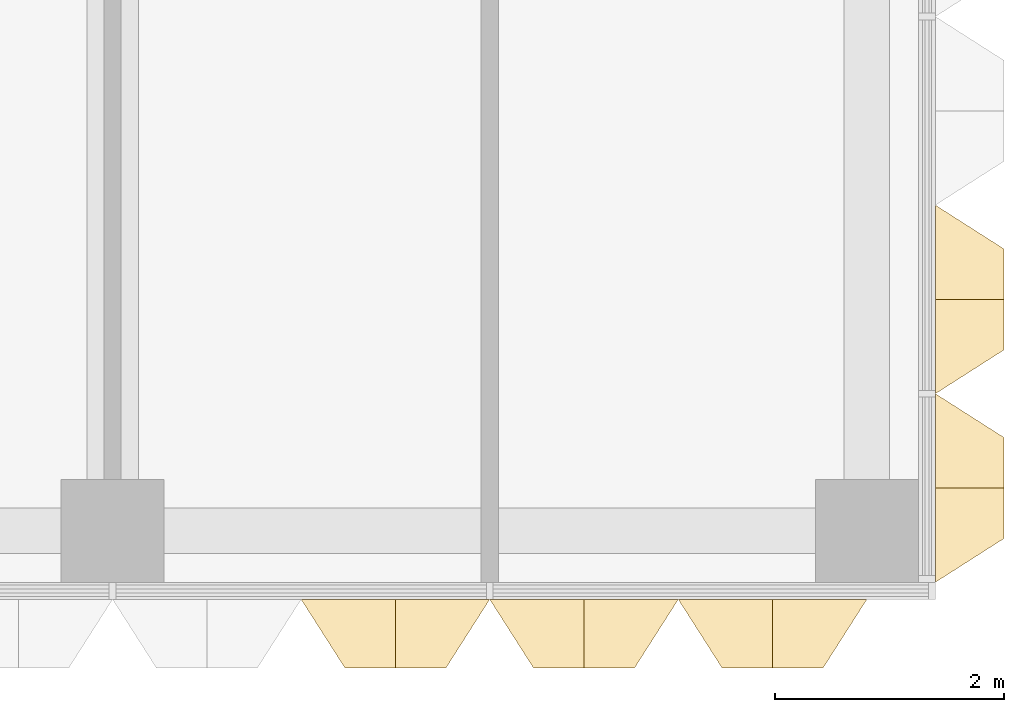
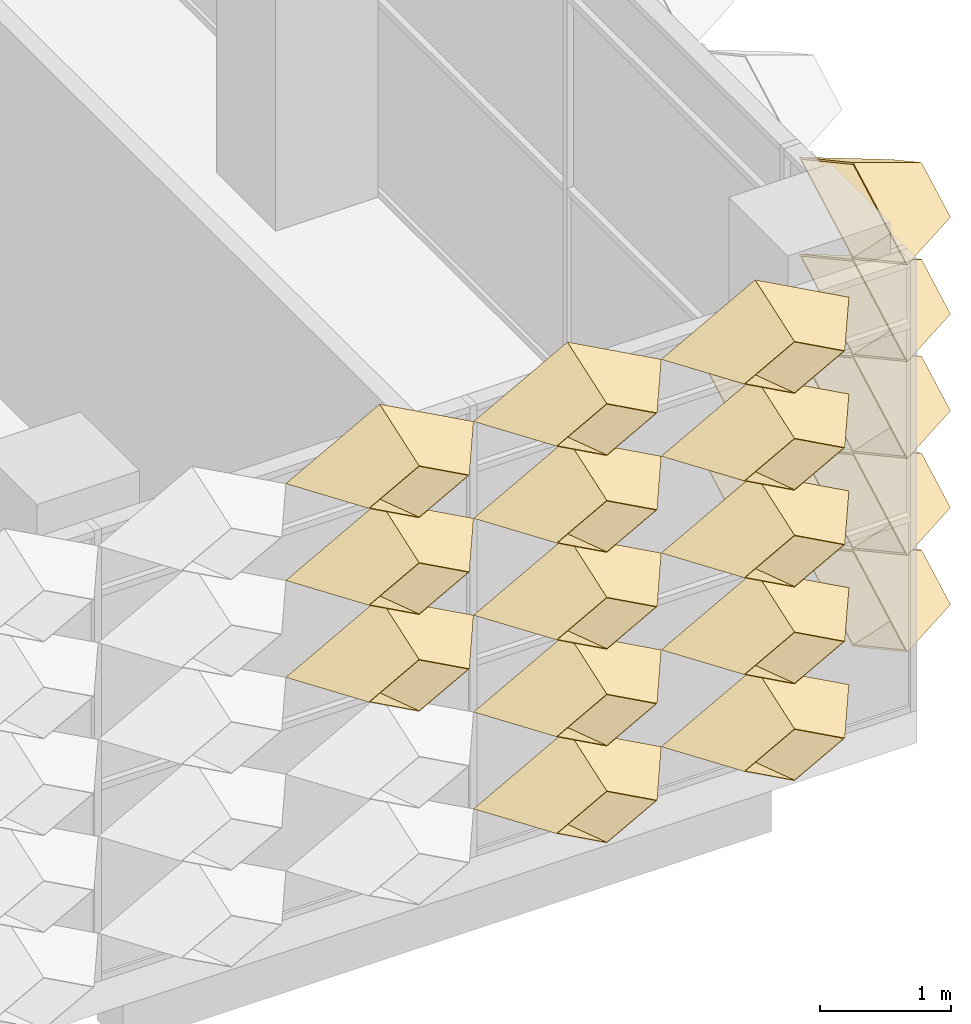
# One storey, part 60 of 87: 20 coverings.
"""IFC4 building model written with IfcOpenShell, lengths in metres."""

from ifc_helpers import new_model, entity, si_unit, direction, frame, origin, place, context, subcontext, project, spatial, material, layer, layer_set, type_object, element, save


model = new_model("IFC4")

# Units and contexts
model_context = context("Model", 3, precision=1e-05, world=origin(), true_north=direction((0.0, 1.0)))
body_context = subcontext(model_context, "Body", "Model", "MODEL_VIEW")
ifc_project = project(units=[si_unit("LENGTHUNIT", "METRE"), si_unit("AREAUNIT", "SQUARE_METRE"), si_unit("VOLUMEUNIT", "CUBIC_METRE"), si_unit("PLANEANGLEUNIT", "RADIAN"), si_unit("MASSUNIT", "GRAM", prefix="KILO")], contexts=[model_context])

# Site, building, storey
site_placement = place(None, origin())
site = spatial("IfcSite", under=ifc_project, at=site_placement, CompositionType="ELEMENT")
building_placement = place(site_placement, origin())
building = spatial("IfcBuilding", under=site, at=building_placement, Name="Lantern Court Research Institute", CompositionType="ELEMENT")
storey_placement = place(building_placement, frame((0.0, 0.0, 5.39990234375)))
storey = spatial("IfcBuildingStorey", under=building, at=storey_placement, Name="L01", CompositionType="ELEMENT", Elevation=5.39990234375)

# Coverings
ifc_material = material(Name="Anodised aluminium", Category="aluminium")
ifc_layer = layer(ifc_material, 0.01611328125)
ifc_layer_set = layer_set([ifc_layer], Name="Anodised aluminium")
covering_type = type_object("IfcCoveringType", Name="Fin cassette 1650 x 900 x 600 aluminium", PredefinedType="CLADDING", material=ifc_layer_set)
covering_1_placement = place(storey_placement, frame((79.800048828125, -7.425048828125, 0.4501953125), z_axis=(1.0, 0.0, 0.0), x_axis=(0.0, 1.0, 0.0)))
cartesian_point_1 = entity("IfcCartesianPoint", [0.824951171875, 0.0])
cartesian_point_2 = entity("IfcCartesianPoint", [0.79150390625, 0.0])
cartesian_point_3 = entity("IfcCartesianPoint", [0.44189453125, 0.0])
cartesian_point_4 = entity("IfcCartesianPoint", [0.43359375, 0.0])
element("IfcCovering", 1, at=covering_1_placement, inside=storey, type_object=covering_type, Name="Fin cassette V5E-L01 1.-4", PredefinedType="CLADDING", context=body_context, shape_type="SweptSolid", body=[
    entity("IfcExtrudedAreaSolidTapered", entity("IfcArbitraryProfileDefWithVoids", "AREA", None, entity("IfcPolyline", [cartesian_point_1, entity("IfcCartesianPoint", [0.0, 0.449951171875]), entity("IfcCartesianPoint", [-0.824951171875, 0.0]), entity("IfcCartesianPoint", [0.0, -0.449951171875]), cartesian_point_1]), [entity("IfcPolyline", [cartesian_point_2, entity("IfcCartesianPoint", [0.0, 0.431884765625]), entity("IfcCartesianPoint", [-0.79150390625, 0.0]), entity("IfcCartesianPoint", [0.0, -0.431884765625]), cartesian_point_2])]), entity("IfcAxis2Placement3D", entity("IfcCartesianPoint", [0.0, 0.0, 0.0])), entity("IfcDirection", [0.0, 0.0, 1.0]), 0.60009765625, entity("IfcArbitraryProfileDefWithVoids", "AREA", None, entity("IfcPolyline", [cartesian_point_3, entity("IfcCartesianPoint", [0.0, 0.240966796875]), entity("IfcCartesianPoint", [-0.44189453125, 0.0]), entity("IfcCartesianPoint", [0.0, -0.240966796875]), cartesian_point_3]), [entity("IfcPolyline", [cartesian_point_4, entity("IfcCartesianPoint", [0.0, 0.236572265625]), entity("IfcCartesianPoint", [-0.43359375, 0.0]), entity("IfcCartesianPoint", [0.0, -0.236572265625]), cartesian_point_4])])),
])
covering_2_placement = place(storey_placement, frame((79.800048828125, -5.77490234375, 0.4501953125), z_axis=(1.0, 0.0, 0.0), x_axis=(0.0, 1.0, 0.0)))
cartesian_point_5 = entity("IfcCartesianPoint", [0.824951171875, 0.0])
cartesian_point_6 = entity("IfcCartesianPoint", [0.79150390625, 0.0])
cartesian_point_7 = entity("IfcCartesianPoint", [0.44189453125, 0.0])
cartesian_point_8 = entity("IfcCartesianPoint", [0.43359375, 0.0])
element("IfcCovering", 2, at=covering_2_placement, inside=storey, type_object=covering_type, Name="Fin cassette V5E-L01 1.-3", PredefinedType="CLADDING", context=body_context, shape_type="SweptSolid", body=[
    entity("IfcExtrudedAreaSolidTapered", entity("IfcArbitraryProfileDefWithVoids", "AREA", None, entity("IfcPolyline", [cartesian_point_5, entity("IfcCartesianPoint", [0.0, 0.449951171875]), entity("IfcCartesianPoint", [-0.824951171875, 0.0]), entity("IfcCartesianPoint", [0.0, -0.449951171875]), cartesian_point_5]), [entity("IfcPolyline", [cartesian_point_6, entity("IfcCartesianPoint", [0.0, 0.431884765625]), entity("IfcCartesianPoint", [-0.79150390625, 0.0]), entity("IfcCartesianPoint", [0.0, -0.431884765625]), cartesian_point_6])]), entity("IfcAxis2Placement3D", entity("IfcCartesianPoint", [0.0, 0.0, 0.0])), entity("IfcDirection", [0.0, 0.0, 1.0]), 0.60009765625, entity("IfcArbitraryProfileDefWithVoids", "AREA", None, entity("IfcPolyline", [cartesian_point_7, entity("IfcCartesianPoint", [0.0, 0.240966796875]), entity("IfcCartesianPoint", [-0.44189453125, 0.0]), entity("IfcCartesianPoint", [0.0, -0.240966796875]), cartesian_point_7]), [entity("IfcPolyline", [cartesian_point_8, entity("IfcCartesianPoint", [0.0, 0.236572265625]), entity("IfcCartesianPoint", [-0.43359375, 0.0]), entity("IfcCartesianPoint", [0.0, -0.236572265625]), cartesian_point_8])])),
])
covering_3_placement = place(storey_placement, frame((79.800048828125, -7.425048828125, 1.35009765625), z_axis=(1.0, 0.0, 0.0), x_axis=(0.0, 1.0, 0.0)))
cartesian_point_9 = entity("IfcCartesianPoint", [0.824951171875, 0.0])
cartesian_point_10 = entity("IfcCartesianPoint", [0.79150390625, 0.0])
cartesian_point_11 = entity("IfcCartesianPoint", [0.44189453125, 0.0])
cartesian_point_12 = entity("IfcCartesianPoint", [0.43359375, 0.0])
element("IfcCovering", 3, at=covering_3_placement, inside=storey, type_object=covering_type, Name="Fin cassette V5E-L01 2.-4", PredefinedType="CLADDING", context=body_context, shape_type="SweptSolid", body=[
    entity("IfcExtrudedAreaSolidTapered", entity("IfcArbitraryProfileDefWithVoids", "AREA", None, entity("IfcPolyline", [cartesian_point_9, entity("IfcCartesianPoint", [0.0, 0.449951171875]), entity("IfcCartesianPoint", [-0.824951171875, 0.0]), entity("IfcCartesianPoint", [0.0, -0.449951171875]), cartesian_point_9]), [entity("IfcPolyline", [cartesian_point_10, entity("IfcCartesianPoint", [0.0, 0.431884765625]), entity("IfcCartesianPoint", [-0.79150390625, 0.0]), entity("IfcCartesianPoint", [0.0, -0.431884765625]), cartesian_point_10])]), entity("IfcAxis2Placement3D", entity("IfcCartesianPoint", [0.0, 0.0, 0.0])), entity("IfcDirection", [0.0, 0.0, 1.0]), 0.60009765625, entity("IfcArbitraryProfileDefWithVoids", "AREA", None, entity("IfcPolyline", [cartesian_point_11, entity("IfcCartesianPoint", [0.0, 0.240966796875]), entity("IfcCartesianPoint", [-0.44189453125, 0.0]), entity("IfcCartesianPoint", [0.0, -0.240966796875]), cartesian_point_11]), [entity("IfcPolyline", [cartesian_point_12, entity("IfcCartesianPoint", [0.0, 0.236572265625]), entity("IfcCartesianPoint", [-0.43359375, 0.0]), entity("IfcCartesianPoint", [0.0, -0.236572265625]), cartesian_point_12])])),
])
covering_4_placement = place(storey_placement, frame((79.800048828125, -5.77490234375, 1.35009765625), z_axis=(1.0, 0.0, 0.0), x_axis=(0.0, 1.0, 0.0)))
cartesian_point_13 = entity("IfcCartesianPoint", [0.824951171875, 0.0])
cartesian_point_14 = entity("IfcCartesianPoint", [0.79150390625, 0.0])
cartesian_point_15 = entity("IfcCartesianPoint", [0.44189453125, 0.0])
cartesian_point_16 = entity("IfcCartesianPoint", [0.43359375, 0.0])
element("IfcCovering", 4, at=covering_4_placement, inside=storey, type_object=covering_type, Name="Fin cassette V5E-L01 2.-3", PredefinedType="CLADDING", context=body_context, shape_type="SweptSolid", body=[
    entity("IfcExtrudedAreaSolidTapered", entity("IfcArbitraryProfileDefWithVoids", "AREA", None, entity("IfcPolyline", [cartesian_point_13, entity("IfcCartesianPoint", [0.0, 0.449951171875]), entity("IfcCartesianPoint", [-0.824951171875, 0.0]), entity("IfcCartesianPoint", [0.0, -0.449951171875]), cartesian_point_13]), [entity("IfcPolyline", [cartesian_point_14, entity("IfcCartesianPoint", [0.0, 0.431884765625]), entity("IfcCartesianPoint", [-0.79150390625, 0.0]), entity("IfcCartesianPoint", [0.0, -0.431884765625]), cartesian_point_14])]), entity("IfcAxis2Placement3D", entity("IfcCartesianPoint", [0.0, 0.0, 0.0])), entity("IfcDirection", [0.0, 0.0, 1.0]), 0.60009765625, entity("IfcArbitraryProfileDefWithVoids", "AREA", None, entity("IfcPolyline", [cartesian_point_15, entity("IfcCartesianPoint", [0.0, 0.240966796875]), entity("IfcCartesianPoint", [-0.44189453125, 0.0]), entity("IfcCartesianPoint", [0.0, -0.240966796875]), cartesian_point_15]), [entity("IfcPolyline", [cartesian_point_16, entity("IfcCartesianPoint", [0.0, 0.236572265625]), entity("IfcCartesianPoint", [-0.43359375, 0.0]), entity("IfcCartesianPoint", [0.0, -0.236572265625]), cartesian_point_16])])),
])
covering_5_placement = place(storey_placement, frame((79.800048828125, -7.425048828125, 2.25), z_axis=(1.0, 0.0, 0.0), x_axis=(0.0, 1.0, 0.0)))
cartesian_point_17 = entity("IfcCartesianPoint", [0.824951171875, 0.0])
cartesian_point_18 = entity("IfcCartesianPoint", [0.79150390625, 0.0])
cartesian_point_19 = entity("IfcCartesianPoint", [0.44189453125, 0.0])
cartesian_point_20 = entity("IfcCartesianPoint", [0.43359375, 0.0])
element("IfcCovering", 5, at=covering_5_placement, inside=storey, type_object=covering_type, Name="Fin cassette V5E-L01 3.-4", PredefinedType="CLADDING", context=body_context, shape_type="SweptSolid", body=[
    entity("IfcExtrudedAreaSolidTapered", entity("IfcArbitraryProfileDefWithVoids", "AREA", None, entity("IfcPolyline", [cartesian_point_17, entity("IfcCartesianPoint", [0.0, 0.449951171875]), entity("IfcCartesianPoint", [-0.824951171875, 0.0]), entity("IfcCartesianPoint", [0.0, -0.449951171875]), cartesian_point_17]), [entity("IfcPolyline", [cartesian_point_18, entity("IfcCartesianPoint", [0.0, 0.431884765625]), entity("IfcCartesianPoint", [-0.79150390625, 0.0]), entity("IfcCartesianPoint", [0.0, -0.431884765625]), cartesian_point_18])]), entity("IfcAxis2Placement3D", entity("IfcCartesianPoint", [0.0, 0.0, 0.0])), entity("IfcDirection", [0.0, 0.0, 1.0]), 0.60009765625, entity("IfcArbitraryProfileDefWithVoids", "AREA", None, entity("IfcPolyline", [cartesian_point_19, entity("IfcCartesianPoint", [0.0, 0.240966796875]), entity("IfcCartesianPoint", [-0.44189453125, 0.0]), entity("IfcCartesianPoint", [0.0, -0.240966796875]), cartesian_point_19]), [entity("IfcPolyline", [cartesian_point_20, entity("IfcCartesianPoint", [0.0, 0.236572265625]), entity("IfcCartesianPoint", [-0.43359375, 0.0]), entity("IfcCartesianPoint", [0.0, -0.236572265625]), cartesian_point_20])])),
])
covering_6_placement = place(storey_placement, frame((79.800048828125, -7.425048828125, 3.150146484375), z_axis=(1.0, 0.0, 0.0), x_axis=(0.0, 1.0, 0.0)))
cartesian_point_21 = entity("IfcCartesianPoint", [0.824951171875, 0.0])
cartesian_point_22 = entity("IfcCartesianPoint", [0.79150390625, 0.0])
cartesian_point_23 = entity("IfcCartesianPoint", [0.44189453125, 0.0])
cartesian_point_24 = entity("IfcCartesianPoint", [0.43359375, 0.0])
element("IfcCovering", 6, at=covering_6_placement, inside=storey, type_object=covering_type, Name="Fin cassette V5E-L01 4.-4", PredefinedType="CLADDING", context=body_context, shape_type="SweptSolid", body=[
    entity("IfcExtrudedAreaSolidTapered", entity("IfcArbitraryProfileDefWithVoids", "AREA", None, entity("IfcPolyline", [cartesian_point_21, entity("IfcCartesianPoint", [0.0, 0.449951171875]), entity("IfcCartesianPoint", [-0.824951171875, 0.0]), entity("IfcCartesianPoint", [0.0, -0.449951171875]), cartesian_point_21]), [entity("IfcPolyline", [cartesian_point_22, entity("IfcCartesianPoint", [0.0, 0.431884765625]), entity("IfcCartesianPoint", [-0.79150390625, 0.0]), entity("IfcCartesianPoint", [0.0, -0.431884765625]), cartesian_point_22])]), entity("IfcAxis2Placement3D", entity("IfcCartesianPoint", [0.0, 0.0, 0.0])), entity("IfcDirection", [0.0, 0.0, 1.0]), 0.60009765625, entity("IfcArbitraryProfileDefWithVoids", "AREA", None, entity("IfcPolyline", [cartesian_point_23, entity("IfcCartesianPoint", [0.0, 0.240966796875]), entity("IfcCartesianPoint", [-0.44189453125, 0.0]), entity("IfcCartesianPoint", [0.0, -0.240966796875]), cartesian_point_23]), [entity("IfcPolyline", [cartesian_point_24, entity("IfcCartesianPoint", [0.0, 0.236572265625]), entity("IfcCartesianPoint", [-0.43359375, 0.0]), entity("IfcCartesianPoint", [0.0, -0.236572265625]), cartesian_point_24])])),
])
covering_7_placement = place(storey_placement, frame((79.800048828125, -7.425048828125, 4.050048828125), z_axis=(1.0, 0.0, 0.0), x_axis=(0.0, 1.0, 0.0)))
cartesian_point_25 = entity("IfcCartesianPoint", [0.824951171875, 0.0])
cartesian_point_26 = entity("IfcCartesianPoint", [0.79150390625, 0.0])
cartesian_point_27 = entity("IfcCartesianPoint", [0.44189453125, 0.0])
cartesian_point_28 = entity("IfcCartesianPoint", [0.43359375, 0.0])
element("IfcCovering", 7, at=covering_7_placement, inside=storey, type_object=covering_type, Name="Fin cassette V5E-L01 5.-4", PredefinedType="CLADDING", context=body_context, shape_type="SweptSolid", body=[
    entity("IfcExtrudedAreaSolidTapered", entity("IfcArbitraryProfileDefWithVoids", "AREA", None, entity("IfcPolyline", [cartesian_point_25, entity("IfcCartesianPoint", [0.0, 0.449951171875]), entity("IfcCartesianPoint", [-0.824951171875, 0.0]), entity("IfcCartesianPoint", [0.0, -0.449951171875]), cartesian_point_25]), [entity("IfcPolyline", [cartesian_point_26, entity("IfcCartesianPoint", [0.0, 0.431884765625]), entity("IfcCartesianPoint", [-0.79150390625, 0.0]), entity("IfcCartesianPoint", [0.0, -0.431884765625]), cartesian_point_26])]), entity("IfcAxis2Placement3D", entity("IfcCartesianPoint", [0.0, 0.0, 0.0])), entity("IfcDirection", [0.0, 0.0, 1.0]), 0.60009765625, entity("IfcArbitraryProfileDefWithVoids", "AREA", None, entity("IfcPolyline", [cartesian_point_27, entity("IfcCartesianPoint", [0.0, 0.240966796875]), entity("IfcCartesianPoint", [-0.44189453125, 0.0]), entity("IfcCartesianPoint", [0.0, -0.240966796875]), cartesian_point_27]), [entity("IfcPolyline", [cartesian_point_28, entity("IfcCartesianPoint", [0.0, 0.236572265625]), entity("IfcCartesianPoint", [-0.43359375, 0.0]), entity("IfcCartesianPoint", [0.0, -0.236572265625]), cartesian_point_28])])),
])
covering_8_placement = place(storey_placement, frame((76.72509765625, -8.39990234375, 0.4501953125), z_axis=(0.0, -1.0, 0.0), x_axis=(1.0, 0.0, 0.0)))
cartesian_point_29 = entity("IfcCartesianPoint", [0.824951171875, 0.0])
cartesian_point_30 = entity("IfcCartesianPoint", [0.79150390625, 0.0])
cartesian_point_31 = entity("IfcCartesianPoint", [0.44189453125, 0.0])
cartesian_point_32 = entity("IfcCartesianPoint", [0.43359375, 0.0])
element("IfcCovering", 8, at=covering_8_placement, inside=storey, type_object=covering_type, Name="Fin cassette V5S-L01 1.47", PredefinedType="CLADDING", context=body_context, shape_type="SweptSolid", body=[
    entity("IfcExtrudedAreaSolidTapered", entity("IfcArbitraryProfileDefWithVoids", "AREA", None, entity("IfcPolyline", [cartesian_point_29, entity("IfcCartesianPoint", [0.0, 0.449951171875]), entity("IfcCartesianPoint", [-0.824951171875, 0.0]), entity("IfcCartesianPoint", [0.0, -0.449951171875]), cartesian_point_29]), [entity("IfcPolyline", [cartesian_point_30, entity("IfcCartesianPoint", [0.0, 0.431884765625]), entity("IfcCartesianPoint", [-0.79150390625, 0.0]), entity("IfcCartesianPoint", [0.0, -0.431884765625]), cartesian_point_30])]), entity("IfcAxis2Placement3D", entity("IfcCartesianPoint", [0.0, 0.0, 0.0])), entity("IfcDirection", [0.0, 0.0, 1.0]), 0.60009765625, entity("IfcArbitraryProfileDefWithVoids", "AREA", None, entity("IfcPolyline", [cartesian_point_31, entity("IfcCartesianPoint", [0.0, 0.240966796875]), entity("IfcCartesianPoint", [-0.44189453125, 0.0]), entity("IfcCartesianPoint", [0.0, -0.240966796875]), cartesian_point_31]), [entity("IfcPolyline", [cartesian_point_32, entity("IfcCartesianPoint", [0.0, 0.236572265625]), entity("IfcCartesianPoint", [-0.43359375, 0.0]), entity("IfcCartesianPoint", [0.0, -0.236572265625]), cartesian_point_32])])),
])
covering_9_placement = place(storey_placement, frame((78.375, -8.39990234375, 0.4501953125), z_axis=(0.0, -1.0, 0.0), x_axis=(1.0, 0.0, 0.0)))
cartesian_point_33 = entity("IfcCartesianPoint", [0.824951171875, 0.0])
cartesian_point_34 = entity("IfcCartesianPoint", [0.79150390625, 0.0])
cartesian_point_35 = entity("IfcCartesianPoint", [0.44189453125, 0.0])
cartesian_point_36 = entity("IfcCartesianPoint", [0.43359375, 0.0])
element("IfcCovering", 9, at=covering_9_placement, inside=storey, type_object=covering_type, Name="Fin cassette V5S-L01 1.48", PredefinedType="CLADDING", context=body_context, shape_type="SweptSolid", body=[
    entity("IfcExtrudedAreaSolidTapered", entity("IfcArbitraryProfileDefWithVoids", "AREA", None, entity("IfcPolyline", [cartesian_point_33, entity("IfcCartesianPoint", [0.0, 0.449951171875]), entity("IfcCartesianPoint", [-0.824951171875, 0.0]), entity("IfcCartesianPoint", [0.0, -0.449951171875]), cartesian_point_33]), [entity("IfcPolyline", [cartesian_point_34, entity("IfcCartesianPoint", [0.0, 0.431884765625]), entity("IfcCartesianPoint", [-0.79150390625, 0.0]), entity("IfcCartesianPoint", [0.0, -0.431884765625]), cartesian_point_34])]), entity("IfcAxis2Placement3D", entity("IfcCartesianPoint", [0.0, 0.0, 0.0])), entity("IfcDirection", [0.0, 0.0, 1.0]), 0.60009765625, entity("IfcArbitraryProfileDefWithVoids", "AREA", None, entity("IfcPolyline", [cartesian_point_35, entity("IfcCartesianPoint", [0.0, 0.240966796875]), entity("IfcCartesianPoint", [-0.44189453125, 0.0]), entity("IfcCartesianPoint", [0.0, -0.240966796875]), cartesian_point_35]), [entity("IfcPolyline", [cartesian_point_36, entity("IfcCartesianPoint", [0.0, 0.236572265625]), entity("IfcCartesianPoint", [-0.43359375, 0.0]), entity("IfcCartesianPoint", [0.0, -0.236572265625]), cartesian_point_36])])),
])
covering_10_placement = place(storey_placement, frame((76.72509765625, -8.39990234375, 1.35009765625), z_axis=(0.0, -1.0, 0.0), x_axis=(1.0, 0.0, 0.0)))
cartesian_point_37 = entity("IfcCartesianPoint", [0.824951171875, 0.0])
cartesian_point_38 = entity("IfcCartesianPoint", [0.79150390625, 0.0])
cartesian_point_39 = entity("IfcCartesianPoint", [0.44189453125, 0.0])
cartesian_point_40 = entity("IfcCartesianPoint", [0.43359375, 0.0])
element("IfcCovering", 10, at=covering_10_placement, inside=storey, type_object=covering_type, Name="Fin cassette V5S-L01 2.47", PredefinedType="CLADDING", context=body_context, shape_type="SweptSolid", body=[
    entity("IfcExtrudedAreaSolidTapered", entity("IfcArbitraryProfileDefWithVoids", "AREA", None, entity("IfcPolyline", [cartesian_point_37, entity("IfcCartesianPoint", [0.0, 0.449951171875]), entity("IfcCartesianPoint", [-0.824951171875, 0.0]), entity("IfcCartesianPoint", [0.0, -0.449951171875]), cartesian_point_37]), [entity("IfcPolyline", [cartesian_point_38, entity("IfcCartesianPoint", [0.0, 0.431884765625]), entity("IfcCartesianPoint", [-0.79150390625, 0.0]), entity("IfcCartesianPoint", [0.0, -0.431884765625]), cartesian_point_38])]), entity("IfcAxis2Placement3D", entity("IfcCartesianPoint", [0.0, 0.0, 0.0])), entity("IfcDirection", [0.0, 0.0, 1.0]), 0.60009765625, entity("IfcArbitraryProfileDefWithVoids", "AREA", None, entity("IfcPolyline", [cartesian_point_39, entity("IfcCartesianPoint", [0.0, 0.240966796875]), entity("IfcCartesianPoint", [-0.44189453125, 0.0]), entity("IfcCartesianPoint", [0.0, -0.240966796875]), cartesian_point_39]), [entity("IfcPolyline", [cartesian_point_40, entity("IfcCartesianPoint", [0.0, 0.236572265625]), entity("IfcCartesianPoint", [-0.43359375, 0.0]), entity("IfcCartesianPoint", [0.0, -0.236572265625]), cartesian_point_40])])),
])
covering_11_placement = place(storey_placement, frame((78.375, -8.39990234375, 1.35009765625), z_axis=(0.0, -1.0, 0.0), x_axis=(1.0, 0.0, 0.0)))
cartesian_point_41 = entity("IfcCartesianPoint", [0.824951171875, 0.0])
cartesian_point_42 = entity("IfcCartesianPoint", [0.79150390625, 0.0])
cartesian_point_43 = entity("IfcCartesianPoint", [0.44189453125, 0.0])
cartesian_point_44 = entity("IfcCartesianPoint", [0.43359375, 0.0])
element("IfcCovering", 11, at=covering_11_placement, inside=storey, type_object=covering_type, Name="Fin cassette V5S-L01 2.48", PredefinedType="CLADDING", context=body_context, shape_type="SweptSolid", body=[
    entity("IfcExtrudedAreaSolidTapered", entity("IfcArbitraryProfileDefWithVoids", "AREA", None, entity("IfcPolyline", [cartesian_point_41, entity("IfcCartesianPoint", [0.0, 0.449951171875]), entity("IfcCartesianPoint", [-0.824951171875, 0.0]), entity("IfcCartesianPoint", [0.0, -0.449951171875]), cartesian_point_41]), [entity("IfcPolyline", [cartesian_point_42, entity("IfcCartesianPoint", [0.0, 0.431884765625]), entity("IfcCartesianPoint", [-0.79150390625, 0.0]), entity("IfcCartesianPoint", [0.0, -0.431884765625]), cartesian_point_42])]), entity("IfcAxis2Placement3D", entity("IfcCartesianPoint", [0.0, 0.0, 0.0])), entity("IfcDirection", [0.0, 0.0, 1.0]), 0.60009765625, entity("IfcArbitraryProfileDefWithVoids", "AREA", None, entity("IfcPolyline", [cartesian_point_43, entity("IfcCartesianPoint", [0.0, 0.240966796875]), entity("IfcCartesianPoint", [-0.44189453125, 0.0]), entity("IfcCartesianPoint", [0.0, -0.240966796875]), cartesian_point_43]), [entity("IfcPolyline", [cartesian_point_44, entity("IfcCartesianPoint", [0.0, 0.236572265625]), entity("IfcCartesianPoint", [-0.43359375, 0.0]), entity("IfcCartesianPoint", [0.0, -0.236572265625]), cartesian_point_44])])),
])
covering_12_placement = place(storey_placement, frame((75.074951171875, -8.39990234375, 2.25), z_axis=(0.0, -1.0, 0.0), x_axis=(1.0, 0.0, 0.0)))
cartesian_point_45 = entity("IfcCartesianPoint", [0.824951171875, 0.0])
cartesian_point_46 = entity("IfcCartesianPoint", [0.79150390625, 0.0])
cartesian_point_47 = entity("IfcCartesianPoint", [0.44189453125, 0.0])
cartesian_point_48 = entity("IfcCartesianPoint", [0.43359375, 0.0])
element("IfcCovering", 12, at=covering_12_placement, inside=storey, type_object=covering_type, Name="Fin cassette V5S-L01 3.46", PredefinedType="CLADDING", context=body_context, shape_type="SweptSolid", body=[
    entity("IfcExtrudedAreaSolidTapered", entity("IfcArbitraryProfileDefWithVoids", "AREA", None, entity("IfcPolyline", [cartesian_point_45, entity("IfcCartesianPoint", [0.0, 0.449951171875]), entity("IfcCartesianPoint", [-0.824951171875, 0.0]), entity("IfcCartesianPoint", [0.0, -0.449951171875]), cartesian_point_45]), [entity("IfcPolyline", [cartesian_point_46, entity("IfcCartesianPoint", [0.0, 0.431884765625]), entity("IfcCartesianPoint", [-0.79150390625, 0.0]), entity("IfcCartesianPoint", [0.0, -0.431884765625]), cartesian_point_46])]), entity("IfcAxis2Placement3D", entity("IfcCartesianPoint", [0.0, 0.0, 0.0])), entity("IfcDirection", [0.0, 0.0, 1.0]), 0.60009765625, entity("IfcArbitraryProfileDefWithVoids", "AREA", None, entity("IfcPolyline", [cartesian_point_47, entity("IfcCartesianPoint", [0.0, 0.240966796875]), entity("IfcCartesianPoint", [-0.44189453125, 0.0]), entity("IfcCartesianPoint", [0.0, -0.240966796875]), cartesian_point_47]), [entity("IfcPolyline", [cartesian_point_48, entity("IfcCartesianPoint", [0.0, 0.236572265625]), entity("IfcCartesianPoint", [-0.43359375, 0.0]), entity("IfcCartesianPoint", [0.0, -0.236572265625]), cartesian_point_48])])),
])
covering_13_placement = place(storey_placement, frame((76.72509765625, -8.39990234375, 2.25), z_axis=(0.0, -1.0, 0.0), x_axis=(1.0, 0.0, 0.0)))
cartesian_point_49 = entity("IfcCartesianPoint", [0.824951171875, 0.0])
cartesian_point_50 = entity("IfcCartesianPoint", [0.79150390625, 0.0])
cartesian_point_51 = entity("IfcCartesianPoint", [0.44189453125, 0.0])
cartesian_point_52 = entity("IfcCartesianPoint", [0.43359375, 0.0])
element("IfcCovering", 13, at=covering_13_placement, inside=storey, type_object=covering_type, Name="Fin cassette V5S-L01 3.47", PredefinedType="CLADDING", context=body_context, shape_type="SweptSolid", body=[
    entity("IfcExtrudedAreaSolidTapered", entity("IfcArbitraryProfileDefWithVoids", "AREA", None, entity("IfcPolyline", [cartesian_point_49, entity("IfcCartesianPoint", [0.0, 0.449951171875]), entity("IfcCartesianPoint", [-0.824951171875, 0.0]), entity("IfcCartesianPoint", [0.0, -0.449951171875]), cartesian_point_49]), [entity("IfcPolyline", [cartesian_point_50, entity("IfcCartesianPoint", [0.0, 0.431884765625]), entity("IfcCartesianPoint", [-0.79150390625, 0.0]), entity("IfcCartesianPoint", [0.0, -0.431884765625]), cartesian_point_50])]), entity("IfcAxis2Placement3D", entity("IfcCartesianPoint", [0.0, 0.0, 0.0])), entity("IfcDirection", [0.0, 0.0, 1.0]), 0.60009765625, entity("IfcArbitraryProfileDefWithVoids", "AREA", None, entity("IfcPolyline", [cartesian_point_51, entity("IfcCartesianPoint", [0.0, 0.240966796875]), entity("IfcCartesianPoint", [-0.44189453125, 0.0]), entity("IfcCartesianPoint", [0.0, -0.240966796875]), cartesian_point_51]), [entity("IfcPolyline", [cartesian_point_52, entity("IfcCartesianPoint", [0.0, 0.236572265625]), entity("IfcCartesianPoint", [-0.43359375, 0.0]), entity("IfcCartesianPoint", [0.0, -0.236572265625]), cartesian_point_52])])),
])
covering_14_placement = place(storey_placement, frame((78.375, -8.39990234375, 2.25), z_axis=(0.0, -1.0, 0.0), x_axis=(1.0, 0.0, 0.0)))
cartesian_point_53 = entity("IfcCartesianPoint", [0.824951171875, 0.0])
cartesian_point_54 = entity("IfcCartesianPoint", [0.79150390625, 0.0])
cartesian_point_55 = entity("IfcCartesianPoint", [0.44189453125, 0.0])
cartesian_point_56 = entity("IfcCartesianPoint", [0.43359375, 0.0])
element("IfcCovering", 14, at=covering_14_placement, inside=storey, type_object=covering_type, Name="Fin cassette V5S-L01 3.48", PredefinedType="CLADDING", context=body_context, shape_type="SweptSolid", body=[
    entity("IfcExtrudedAreaSolidTapered", entity("IfcArbitraryProfileDefWithVoids", "AREA", None, entity("IfcPolyline", [cartesian_point_53, entity("IfcCartesianPoint", [0.0, 0.449951171875]), entity("IfcCartesianPoint", [-0.824951171875, 0.0]), entity("IfcCartesianPoint", [0.0, -0.449951171875]), cartesian_point_53]), [entity("IfcPolyline", [cartesian_point_54, entity("IfcCartesianPoint", [0.0, 0.431884765625]), entity("IfcCartesianPoint", [-0.79150390625, 0.0]), entity("IfcCartesianPoint", [0.0, -0.431884765625]), cartesian_point_54])]), entity("IfcAxis2Placement3D", entity("IfcCartesianPoint", [0.0, 0.0, 0.0])), entity("IfcDirection", [0.0, 0.0, 1.0]), 0.60009765625, entity("IfcArbitraryProfileDefWithVoids", "AREA", None, entity("IfcPolyline", [cartesian_point_55, entity("IfcCartesianPoint", [0.0, 0.240966796875]), entity("IfcCartesianPoint", [-0.44189453125, 0.0]), entity("IfcCartesianPoint", [0.0, -0.240966796875]), cartesian_point_55]), [entity("IfcPolyline", [cartesian_point_56, entity("IfcCartesianPoint", [0.0, 0.236572265625]), entity("IfcCartesianPoint", [-0.43359375, 0.0]), entity("IfcCartesianPoint", [0.0, -0.236572265625]), cartesian_point_56])])),
])
covering_15_placement = place(storey_placement, frame((75.074951171875, -8.39990234375, 3.150146484375), z_axis=(0.0, -1.0, 0.0), x_axis=(1.0, 0.0, 0.0)))
cartesian_point_57 = entity("IfcCartesianPoint", [0.824951171875, 0.0])
cartesian_point_58 = entity("IfcCartesianPoint", [0.79150390625, 0.0])
cartesian_point_59 = entity("IfcCartesianPoint", [0.44189453125, 0.0])
cartesian_point_60 = entity("IfcCartesianPoint", [0.43359375, 0.0])
element("IfcCovering", 15, at=covering_15_placement, inside=storey, type_object=covering_type, Name="Fin cassette V5S-L01 4.46", PredefinedType="CLADDING", context=body_context, shape_type="SweptSolid", body=[
    entity("IfcExtrudedAreaSolidTapered", entity("IfcArbitraryProfileDefWithVoids", "AREA", None, entity("IfcPolyline", [cartesian_point_57, entity("IfcCartesianPoint", [0.0, 0.449951171875]), entity("IfcCartesianPoint", [-0.824951171875, 0.0]), entity("IfcCartesianPoint", [0.0, -0.449951171875]), cartesian_point_57]), [entity("IfcPolyline", [cartesian_point_58, entity("IfcCartesianPoint", [0.0, 0.431884765625]), entity("IfcCartesianPoint", [-0.79150390625, 0.0]), entity("IfcCartesianPoint", [0.0, -0.431884765625]), cartesian_point_58])]), entity("IfcAxis2Placement3D", entity("IfcCartesianPoint", [0.0, 0.0, 0.0])), entity("IfcDirection", [0.0, 0.0, 1.0]), 0.60009765625, entity("IfcArbitraryProfileDefWithVoids", "AREA", None, entity("IfcPolyline", [cartesian_point_59, entity("IfcCartesianPoint", [0.0, 0.240966796875]), entity("IfcCartesianPoint", [-0.44189453125, 0.0]), entity("IfcCartesianPoint", [0.0, -0.240966796875]), cartesian_point_59]), [entity("IfcPolyline", [cartesian_point_60, entity("IfcCartesianPoint", [0.0, 0.236572265625]), entity("IfcCartesianPoint", [-0.43359375, 0.0]), entity("IfcCartesianPoint", [0.0, -0.236572265625]), cartesian_point_60])])),
])
covering_16_placement = place(storey_placement, frame((76.72509765625, -8.39990234375, 3.150146484375), z_axis=(0.0, -1.0, 0.0), x_axis=(1.0, 0.0, 0.0)))
cartesian_point_61 = entity("IfcCartesianPoint", [0.824951171875, 0.0])
cartesian_point_62 = entity("IfcCartesianPoint", [0.79150390625, 0.0])
cartesian_point_63 = entity("IfcCartesianPoint", [0.44189453125, 0.0])
cartesian_point_64 = entity("IfcCartesianPoint", [0.43359375, 0.0])
element("IfcCovering", 16, at=covering_16_placement, inside=storey, type_object=covering_type, Name="Fin cassette V5S-L01 4.47", PredefinedType="CLADDING", context=body_context, shape_type="SweptSolid", body=[
    entity("IfcExtrudedAreaSolidTapered", entity("IfcArbitraryProfileDefWithVoids", "AREA", None, entity("IfcPolyline", [cartesian_point_61, entity("IfcCartesianPoint", [0.0, 0.449951171875]), entity("IfcCartesianPoint", [-0.824951171875, 0.0]), entity("IfcCartesianPoint", [0.0, -0.449951171875]), cartesian_point_61]), [entity("IfcPolyline", [cartesian_point_62, entity("IfcCartesianPoint", [0.0, 0.431884765625]), entity("IfcCartesianPoint", [-0.79150390625, 0.0]), entity("IfcCartesianPoint", [0.0, -0.431884765625]), cartesian_point_62])]), entity("IfcAxis2Placement3D", entity("IfcCartesianPoint", [0.0, 0.0, 0.0])), entity("IfcDirection", [0.0, 0.0, 1.0]), 0.60009765625, entity("IfcArbitraryProfileDefWithVoids", "AREA", None, entity("IfcPolyline", [cartesian_point_63, entity("IfcCartesianPoint", [0.0, 0.240966796875]), entity("IfcCartesianPoint", [-0.44189453125, 0.0]), entity("IfcCartesianPoint", [0.0, -0.240966796875]), cartesian_point_63]), [entity("IfcPolyline", [cartesian_point_64, entity("IfcCartesianPoint", [0.0, 0.236572265625]), entity("IfcCartesianPoint", [-0.43359375, 0.0]), entity("IfcCartesianPoint", [0.0, -0.236572265625]), cartesian_point_64])])),
])
covering_17_placement = place(storey_placement, frame((78.375, -8.39990234375, 3.150146484375), z_axis=(0.0, -1.0, 0.0), x_axis=(1.0, 0.0, 0.0)))
cartesian_point_65 = entity("IfcCartesianPoint", [0.824951171875, 0.0])
cartesian_point_66 = entity("IfcCartesianPoint", [0.79150390625, 0.0])
cartesian_point_67 = entity("IfcCartesianPoint", [0.44189453125, 0.0])
cartesian_point_68 = entity("IfcCartesianPoint", [0.43359375, 0.0])
element("IfcCovering", 17, at=covering_17_placement, inside=storey, type_object=covering_type, Name="Fin cassette V5S-L01 4.48", PredefinedType="CLADDING", context=body_context, shape_type="SweptSolid", body=[
    entity("IfcExtrudedAreaSolidTapered", entity("IfcArbitraryProfileDefWithVoids", "AREA", None, entity("IfcPolyline", [cartesian_point_65, entity("IfcCartesianPoint", [0.0, 0.449951171875]), entity("IfcCartesianPoint", [-0.824951171875, 0.0]), entity("IfcCartesianPoint", [0.0, -0.449951171875]), cartesian_point_65]), [entity("IfcPolyline", [cartesian_point_66, entity("IfcCartesianPoint", [0.0, 0.431884765625]), entity("IfcCartesianPoint", [-0.79150390625, 0.0]), entity("IfcCartesianPoint", [0.0, -0.431884765625]), cartesian_point_66])]), entity("IfcAxis2Placement3D", entity("IfcCartesianPoint", [0.0, 0.0, 0.0])), entity("IfcDirection", [0.0, 0.0, 1.0]), 0.60009765625, entity("IfcArbitraryProfileDefWithVoids", "AREA", None, entity("IfcPolyline", [cartesian_point_67, entity("IfcCartesianPoint", [0.0, 0.240966796875]), entity("IfcCartesianPoint", [-0.44189453125, 0.0]), entity("IfcCartesianPoint", [0.0, -0.240966796875]), cartesian_point_67]), [entity("IfcPolyline", [cartesian_point_68, entity("IfcCartesianPoint", [0.0, 0.236572265625]), entity("IfcCartesianPoint", [-0.43359375, 0.0]), entity("IfcCartesianPoint", [0.0, -0.236572265625]), cartesian_point_68])])),
])
covering_18_placement = place(storey_placement, frame((75.074951171875, -8.39990234375, 4.050048828125), z_axis=(0.0, -1.0, 0.0), x_axis=(1.0, 0.0, 0.0)))
cartesian_point_69 = entity("IfcCartesianPoint", [0.824951171875, 0.0])
cartesian_point_70 = entity("IfcCartesianPoint", [0.79150390625, 0.0])
cartesian_point_71 = entity("IfcCartesianPoint", [0.44189453125, 0.0])
cartesian_point_72 = entity("IfcCartesianPoint", [0.43359375, 0.0])
element("IfcCovering", 18, at=covering_18_placement, inside=storey, type_object=covering_type, Name="Fin cassette V5S-L01 5.46", PredefinedType="CLADDING", context=body_context, shape_type="SweptSolid", body=[
    entity("IfcExtrudedAreaSolidTapered", entity("IfcArbitraryProfileDefWithVoids", "AREA", None, entity("IfcPolyline", [cartesian_point_69, entity("IfcCartesianPoint", [0.0, 0.449951171875]), entity("IfcCartesianPoint", [-0.824951171875, 0.0]), entity("IfcCartesianPoint", [0.0, -0.449951171875]), cartesian_point_69]), [entity("IfcPolyline", [cartesian_point_70, entity("IfcCartesianPoint", [0.0, 0.431884765625]), entity("IfcCartesianPoint", [-0.79150390625, 0.0]), entity("IfcCartesianPoint", [0.0, -0.431884765625]), cartesian_point_70])]), entity("IfcAxis2Placement3D", entity("IfcCartesianPoint", [0.0, 0.0, 0.0])), entity("IfcDirection", [0.0, 0.0, 1.0]), 0.60009765625, entity("IfcArbitraryProfileDefWithVoids", "AREA", None, entity("IfcPolyline", [cartesian_point_71, entity("IfcCartesianPoint", [0.0, 0.240966796875]), entity("IfcCartesianPoint", [-0.44189453125, 0.0]), entity("IfcCartesianPoint", [0.0, -0.240966796875]), cartesian_point_71]), [entity("IfcPolyline", [cartesian_point_72, entity("IfcCartesianPoint", [0.0, 0.236572265625]), entity("IfcCartesianPoint", [-0.43359375, 0.0]), entity("IfcCartesianPoint", [0.0, -0.236572265625]), cartesian_point_72])])),
])
covering_19_placement = place(storey_placement, frame((76.72509765625, -8.39990234375, 4.050048828125), z_axis=(0.0, -1.0, 0.0), x_axis=(1.0, 0.0, 0.0)))
cartesian_point_73 = entity("IfcCartesianPoint", [0.824951171875, 0.0])
cartesian_point_74 = entity("IfcCartesianPoint", [0.79150390625, 0.0])
cartesian_point_75 = entity("IfcCartesianPoint", [0.44189453125, 0.0])
cartesian_point_76 = entity("IfcCartesianPoint", [0.43359375, 0.0])
element("IfcCovering", 19, at=covering_19_placement, inside=storey, type_object=covering_type, Name="Fin cassette V5S-L01 5.47", PredefinedType="CLADDING", context=body_context, shape_type="SweptSolid", body=[
    entity("IfcExtrudedAreaSolidTapered", entity("IfcArbitraryProfileDefWithVoids", "AREA", None, entity("IfcPolyline", [cartesian_point_73, entity("IfcCartesianPoint", [0.0, 0.449951171875]), entity("IfcCartesianPoint", [-0.824951171875, 0.0]), entity("IfcCartesianPoint", [0.0, -0.449951171875]), cartesian_point_73]), [entity("IfcPolyline", [cartesian_point_74, entity("IfcCartesianPoint", [0.0, 0.431884765625]), entity("IfcCartesianPoint", [-0.79150390625, 0.0]), entity("IfcCartesianPoint", [0.0, -0.431884765625]), cartesian_point_74])]), entity("IfcAxis2Placement3D", entity("IfcCartesianPoint", [0.0, 0.0, 0.0])), entity("IfcDirection", [0.0, 0.0, 1.0]), 0.60009765625, entity("IfcArbitraryProfileDefWithVoids", "AREA", None, entity("IfcPolyline", [cartesian_point_75, entity("IfcCartesianPoint", [0.0, 0.240966796875]), entity("IfcCartesianPoint", [-0.44189453125, 0.0]), entity("IfcCartesianPoint", [0.0, -0.240966796875]), cartesian_point_75]), [entity("IfcPolyline", [cartesian_point_76, entity("IfcCartesianPoint", [0.0, 0.236572265625]), entity("IfcCartesianPoint", [-0.43359375, 0.0]), entity("IfcCartesianPoint", [0.0, -0.236572265625]), cartesian_point_76])])),
])
covering_20_placement = place(storey_placement, frame((78.375, -8.39990234375, 4.050048828125), z_axis=(0.0, -1.0, 0.0), x_axis=(1.0, 0.0, 0.0)))
cartesian_point_77 = entity("IfcCartesianPoint", [0.824951171875, 0.0])
cartesian_point_78 = entity("IfcCartesianPoint", [0.79150390625, 0.0])
cartesian_point_79 = entity("IfcCartesianPoint", [0.44189453125, 0.0])
cartesian_point_80 = entity("IfcCartesianPoint", [0.43359375, 0.0])
element("IfcCovering", 20, at=covering_20_placement, inside=storey, type_object=covering_type, Name="Fin cassette V5S-L01 5.48", PredefinedType="CLADDING", context=body_context, shape_type="SweptSolid", body=[
    entity("IfcExtrudedAreaSolidTapered", entity("IfcArbitraryProfileDefWithVoids", "AREA", None, entity("IfcPolyline", [cartesian_point_77, entity("IfcCartesianPoint", [0.0, 0.449951171875]), entity("IfcCartesianPoint", [-0.824951171875, 0.0]), entity("IfcCartesianPoint", [0.0, -0.449951171875]), cartesian_point_77]), [entity("IfcPolyline", [cartesian_point_78, entity("IfcCartesianPoint", [0.0, 0.431884765625]), entity("IfcCartesianPoint", [-0.79150390625, 0.0]), entity("IfcCartesianPoint", [0.0, -0.431884765625]), cartesian_point_78])]), entity("IfcAxis2Placement3D", entity("IfcCartesianPoint", [0.0, 0.0, 0.0])), entity("IfcDirection", [0.0, 0.0, 1.0]), 0.60009765625, entity("IfcArbitraryProfileDefWithVoids", "AREA", None, entity("IfcPolyline", [cartesian_point_79, entity("IfcCartesianPoint", [0.0, 0.240966796875]), entity("IfcCartesianPoint", [-0.44189453125, 0.0]), entity("IfcCartesianPoint", [0.0, -0.240966796875]), cartesian_point_79]), [entity("IfcPolyline", [cartesian_point_80, entity("IfcCartesianPoint", [0.0, 0.236572265625]), entity("IfcCartesianPoint", [-0.43359375, 0.0]), entity("IfcCartesianPoint", [0.0, -0.236572265625]), cartesian_point_80])])),
])

save(model, "model.ifc")
